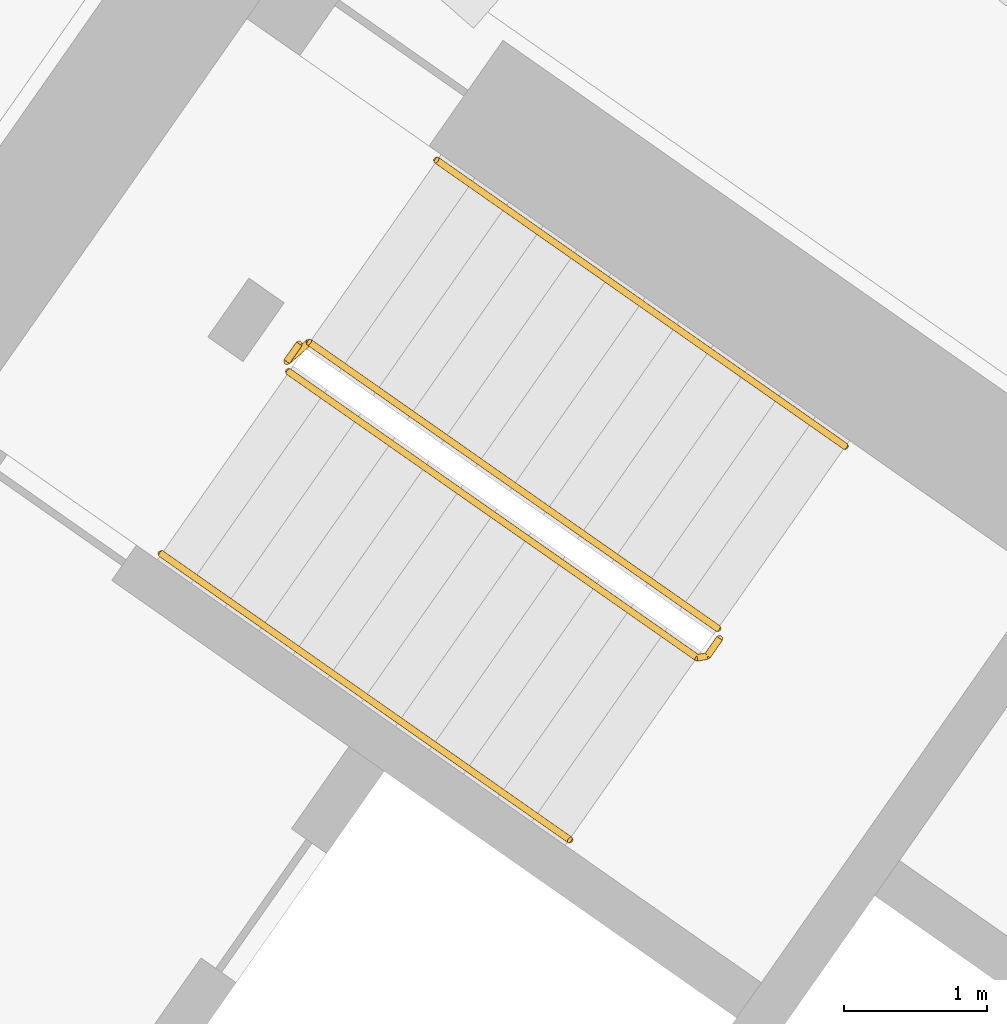
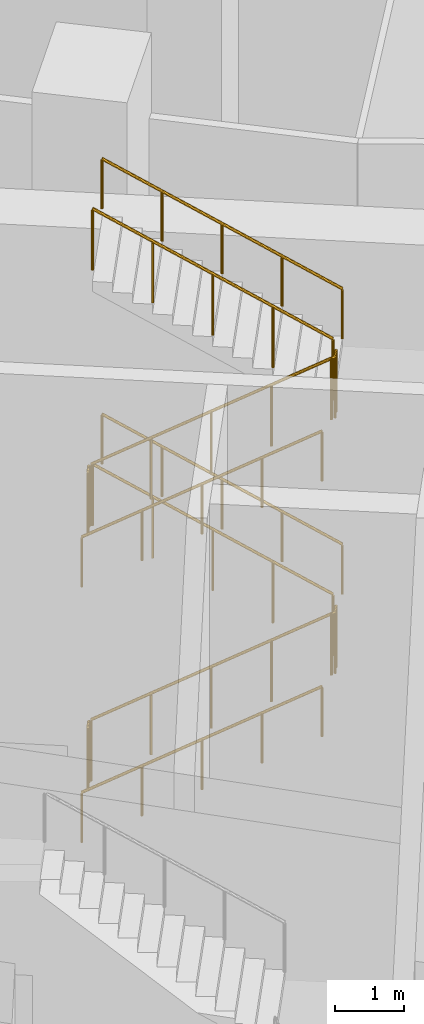
# One storey, part 15 of 17: 9 railings.
"""IFC4 building model written with IfcOpenShell, lengths in metres."""

from ifc_helpers import new_model, si_unit, direction, frame, origin, origin_2d, place, context, subcontext, project, spatial, circle, extrude, material, type_object, element, save


model = new_model("IFC4")

# Units and contexts
model_context = context("Model", 3, precision=1e-05, world=origin(), true_north=direction((0.0, 1.0)))
body_context = subcontext(model_context, "Body", "Model", "MODEL_VIEW")
ifc_project = project(units=[si_unit("LENGTHUNIT", "METRE"), si_unit("AREAUNIT", "SQUARE_METRE"), si_unit("VOLUMEUNIT", "CUBIC_METRE"), si_unit("PLANEANGLEUNIT", "RADIAN"), si_unit("MASSUNIT", "GRAM", prefix="KILO")], contexts=[model_context])

# Site, building, storey
site_placement = place(None, origin())
site = spatial("IfcSite", under=ifc_project, at=site_placement, CompositionType="ELEMENT")
building_placement = place(site_placement, origin())
building = spatial("IfcBuilding", under=site, at=building_placement, Name="Qamariyya Broadcast Tower", CompositionType="ELEMENT")
storey_placement = place(building_placement, frame((0.0, 0.0, 18.0)))
storey = spatial("IfcBuildingStorey", under=building, at=storey_placement, Name="L02", CompositionType="ELEMENT", Elevation=18.0)

# Railings
ifc_material_1 = material(Name="Painted steel", Category="steel")
railing_type_1 = type_object("IfcRailingType", Name="Stair guard", PredefinedType="GUARDRAIL", material=ifc_material_1)
railing_1_placement = place(storey_placement, frame((-41.146728515625, -48.52490234375, 0.173095703125)))
element("IfcRailing", 1, at=railing_1_placement, inside=storey, type_object=railing_type_1, Name="L02 ST-W2 stair guard 1", PredefinedType="GUARDRAIL", context=body_context, shape_type="SweptSolid", body=[
    extrude(circle(Radius=0.02392578125, at=origin_2d()), frame((0.0, 0.0, 1.076171875), z_axis=(0.703423072377, -0.49252265477, 0.512462111562), x_axis=(0.573561211868, 0.819162704376, 0.0)), (0.0, 0.0, 1.0), 4.052734375),
    extrude(circle(Radius=0.02392578125, at=origin_2d()), frame((2.850830078125, -1.99609375, 3.15283203125), z_axis=(0.984363469884, 0.176149252506, 0.0), x_axis=(-0.176149252506, 0.984363469884, 0.0)), (0.0, 0.0, 1.0), 0.07080078125),
    extrude(circle(Radius=0.02392578125, at=origin_2d()), frame((2.92041015625, -1.983642578125, 3.15283203125), z_axis=(0.573353020881, 0.819308436089, 0.0), x_axis=(-0.819308436089, 0.573353020881, 0.0)), (0.0, 0.0, 1.0), 0.14990234375),
    extrude(circle(Radius=0.02099609375, at=origin_2d()), origin(), (0.0, 0.0, 1.0), 1.052001953125),
    extrude(circle(Radius=0.02099609375, at=origin_2d()), frame((0.712646484375, -0.4990234375, 0.519287109375)), (0.0, 0.0, 1.0), 1.052001953125),
    extrude(circle(Radius=0.02099609375, at=origin_2d()), frame((1.42529296875, -0.998046875, 1.03857421875)), (0.0, 0.0, 1.0), 1.052001953125),
    extrude(circle(Radius=0.02099609375, at=origin_2d()), frame((2.13818359375, -1.4970703125, 1.5576171875)), (0.0, 0.0, 1.0), 1.052001953125),
    extrude(circle(Radius=0.02099609375, at=origin_2d()), frame((2.850830078125, -1.99609375, 2.076904296875)), (0.0, 0.0, 1.0), 1.052001953125),
    extrude(circle(Radius=0.02099609375, at=origin_2d()), frame((2.92041015625, -1.983642578125, 2.076904296875)), (0.0, 0.0, 1.0), 1.052001953125),
    extrude(circle(Radius=0.02099609375, at=origin_2d()), frame((3.00634765625, -1.86083984375, 2.076904296875)), (0.0, 0.0, 1.0), 1.052001953125),
])
railing_2_placement = place(storey_placement, frame((-38.152587890625, -50.316162109375, 2.423095703125)))
element("IfcRailing", 2, at=railing_2_placement, inside=storey, type_object=railing_type_1, Name="L02 ST-W2 stair guard 2", PredefinedType="GUARDRAIL", context=body_context, shape_type="SweptSolid", body=[
    extrude(circle(Radius=0.02392578125, at=origin_2d()), frame((0.0, 0.0, 1.076171875), z_axis=(-0.703392637411, 0.492543525477, 0.512483827206), x_axis=(-0.573594173421, -0.819139624372, 0.0)), (0.0, 0.0, 1.0), 4.052734375),
    extrude(circle(Radius=0.02392578125, at=origin_2d()), frame((-2.8505859375, 1.99609375, 3.15283203125), z_axis=(-0.755063954535, -0.655651145474, 0.0), x_axis=(0.655651145474, -0.755063954535, 0.0)), (0.0, 0.0, 1.0), 0.206298828125),
    extrude(circle(Radius=0.02392578125, at=origin_2d()), frame((-3.00634765625, 1.86083984375, 3.15283203125), z_axis=(0.572588637393, 0.819842821722, 0.0), x_axis=(-0.819842821722, 0.572588637393, 0.0)), (0.0, 0.0, 1.0), 0.150146484375),
    extrude(circle(Radius=0.02099609375, at=origin_2d()), origin(), (0.0, 0.0, 1.0), 1.052001953125),
    extrude(circle(Radius=0.02099609375, at=origin_2d()), frame((-0.712646484375, 0.4990234375, 0.519287109375)), (0.0, 0.0, 1.0), 1.052001953125),
    extrude(circle(Radius=0.02099609375, at=origin_2d()), frame((-1.42529296875, 0.998046875, 1.03857421875)), (0.0, 0.0, 1.0), 1.052001953125),
    extrude(circle(Radius=0.02099609375, at=origin_2d()), frame((-2.137939453125, 1.4970703125, 1.5576171875)), (0.0, 0.0, 1.0), 1.052001953125),
    extrude(circle(Radius=0.02099609375, at=origin_2d()), frame((-2.8505859375, 1.99609375, 2.076904296875)), (0.0, 0.0, 1.0), 1.052001953125),
    extrude(circle(Radius=0.02099609375, at=origin_2d()), frame((-3.00634765625, 1.86083984375, 2.076904296875)), (0.0, 0.0, 1.0), 1.052001953125),
    extrude(circle(Radius=0.02099609375, at=origin_2d()), frame((-2.92041015625, 1.98388671875, 2.076904296875)), (0.0, 0.0, 1.0), 1.052001953125),
])
railing_3_placement = place(storey_placement, frame((-41.146728515625, -48.52490234375, 4.673095703125)))
element("IfcRailing", 3, at=railing_3_placement, inside=storey, type_object=railing_type_1, Name="L02 ST-W2 stair guard 3", PredefinedType="GUARDRAIL", context=body_context, shape_type="SweptSolid", body=[
    extrude(circle(Radius=0.02392578125, at=origin_2d()), frame((0.0, 0.0, 1.076171875), z_axis=(0.703423072377, -0.49252265477, 0.512462111562), x_axis=(0.573561211868, 0.819162704376, 0.0)), (0.0, 0.0, 1.0), 4.052734375),
    extrude(circle(Radius=0.02392578125, at=origin_2d()), frame((2.850830078125, -1.99609375, 3.15283203125), z_axis=(0.984363469884, 0.176149252506, 0.0), x_axis=(-0.176149252506, 0.984363469884, 0.0)), (0.0, 0.0, 1.0), 0.07080078125),
    extrude(circle(Radius=0.02392578125, at=origin_2d()), frame((2.92041015625, -1.983642578125, 3.15283203125), z_axis=(0.573353020881, 0.819308436089, 0.0), x_axis=(-0.819308436089, 0.573353020881, 0.0)), (0.0, 0.0, 1.0), 0.14990234375),
    extrude(circle(Radius=0.02099609375, at=origin_2d()), origin(), (0.0, 0.0, 1.0), 1.052001953125),
    extrude(circle(Radius=0.02099609375, at=origin_2d()), frame((0.712646484375, -0.4990234375, 0.519287109375)), (0.0, 0.0, 1.0), 1.052001953125),
    extrude(circle(Radius=0.02099609375, at=origin_2d()), frame((1.42529296875, -0.998046875, 1.03857421875)), (0.0, 0.0, 1.0), 1.052001953125),
    extrude(circle(Radius=0.02099609375, at=origin_2d()), frame((2.13818359375, -1.4970703125, 1.5576171875)), (0.0, 0.0, 1.0), 1.052001953125),
    extrude(circle(Radius=0.02099609375, at=origin_2d()), frame((2.850830078125, -1.99609375, 2.076904296875)), (0.0, 0.0, 1.0), 1.052001953125),
    extrude(circle(Radius=0.02099609375, at=origin_2d()), frame((2.92041015625, -1.983642578125, 2.076904296875)), (0.0, 0.0, 1.0), 1.052001953125),
    extrude(circle(Radius=0.02099609375, at=origin_2d()), frame((3.00634765625, -1.86083984375, 2.076904296875)), (0.0, 0.0, 1.0), 1.052001953125),
])
railing_4_placement = place(storey_placement, frame((-38.152587890625, -50.316162109375, 6.923095703125)))
element("IfcRailing", 4, at=railing_4_placement, inside=storey, type_object=railing_type_1, Name="L02 ST-W2 stair guard 4", PredefinedType="GUARDRAIL", context=body_context, shape_type="SweptSolid", body=[
    extrude(circle(Radius=0.02392578125, at=origin_2d()), frame((0.0, 0.0, 1.076171875), z_axis=(-0.703392637411, 0.492543525477, 0.512483827206), x_axis=(-0.573594173421, -0.819139624372, 0.0)), (0.0, 0.0, 1.0), 4.052734375),
    extrude(circle(Radius=0.02099609375, at=origin_2d()), origin(), (0.0, 0.0, 1.0), 1.052001953125),
    extrude(circle(Radius=0.02099609375, at=origin_2d()), frame((-0.712646484375, 0.4990234375, 0.519287109375)), (0.0, 0.0, 1.0), 1.052001953125),
    extrude(circle(Radius=0.02099609375, at=origin_2d()), frame((-1.42529296875, 0.998046875, 1.03857421875)), (0.0, 0.0, 1.0), 1.052001953125),
    extrude(circle(Radius=0.02099609375, at=origin_2d()), frame((-2.137939453125, 1.4970703125, 1.5576171875)), (0.0, 0.0, 1.0), 1.052001953125),
    extrude(circle(Radius=0.02099609375, at=origin_2d()), frame((-2.8505859375, 1.99609375, 2.076904296875)), (0.0, 0.0, 1.0), 1.052001953125),
])
railing_5_placement = place(storey_placement, frame((-41.158935546875, -48.455322265625, 0.0)))
element("IfcRailing", 5, at=railing_5_placement, inside=storey, type_object=railing_type_1, Name="L02 ST-W2 stair guard 5", PredefinedType="GUARDRAIL", context=body_context, shape_type="SweptSolid", body=[
    extrude(circle(Radius=0.02392578125, at=origin_2d()), frame((0.0, 0.0, 1.076171875), z_axis=(0.572588637393, 0.819842821722, 0.0), x_axis=(-0.819842821722, 0.572588637393, 0.0)), (0.0, 0.0, 1.0), 0.150146484375),
    extrude(circle(Radius=0.02099609375, at=origin_2d()), origin(), (0.0, 0.0, 1.0), 1.052001953125),
    extrude(circle(Radius=0.02099609375, at=origin_2d()), frame((0.0859375, 0.123046875, 0.0)), (0.0, 0.0, 1.0), 1.052001953125),
])
ifc_material_2 = material(Name="Stainless steel", Category="steel")
railing_type_2 = type_object("IfcRailingType", Name="Stair handrail", PredefinedType="HANDRAIL", material=ifc_material_2)
railing_6_placement = place(storey_placement, frame((-42.03564453125, -49.79443359375, 0.173095703125)))
element("IfcRailing", 6, at=railing_6_placement, inside=storey, type_object=railing_type_2, Name="L02 ST-W2 stair handrail 1", PredefinedType="HANDRAIL", context=body_context, shape_type="SweptSolid", body=[
    extrude(circle(Radius=0.02392578125, at=origin_2d()), frame((0.0, 0.0, 0.8759765625), z_axis=(0.703392637411, -0.492543525477, 0.512483827206), x_axis=(0.573594173421, 0.819139624372, 0.0)), (0.0, 0.0, 1.0), 4.052734375),
    extrude(circle(Radius=0.02099609375, at=origin_2d()), origin(), (0.0, 0.0, 1.0), 0.851806640625),
    extrude(circle(Radius=0.02099609375, at=origin_2d()), frame((0.712646484375, -0.4990234375, 0.519287109375)), (0.0, 0.0, 1.0), 0.851806640625),
    extrude(circle(Radius=0.02099609375, at=origin_2d()), frame((1.42529296875, -0.998046875, 1.03857421875)), (0.0, 0.0, 1.0), 0.851806640625),
    extrude(circle(Radius=0.02099609375, at=origin_2d()), frame((2.137939453125, -1.4970703125, 1.5576171875)), (0.0, 0.0, 1.0), 0.851806640625),
    extrude(circle(Radius=0.02099609375, at=origin_2d()), frame((2.8505859375, -1.99609375, 2.076904296875)), (0.0, 0.0, 1.0), 0.851806640625),
])
railing_7_placement = place(storey_placement, frame((-37.263671875, -49.04638671875, 2.423095703125)))
element("IfcRailing", 7, at=railing_7_placement, inside=storey, type_object=railing_type_2, Name="L02 ST-W2 stair handrail 2", PredefinedType="HANDRAIL", context=body_context, shape_type="SweptSolid", body=[
    extrude(circle(Radius=0.02392578125, at=origin_2d()), frame((0.0, 0.0, 0.8759765625), z_axis=(-0.703392637411, 0.492543525477, 0.512483827206), x_axis=(-0.573594173421, -0.819139624372, 0.0)), (0.0, 0.0, 1.0), 4.052734375),
    extrude(circle(Radius=0.02099609375, at=origin_2d()), origin(), (0.0, 0.0, 1.0), 0.851806640625),
    extrude(circle(Radius=0.02099609375, at=origin_2d()), frame((-0.712646484375, 0.4990234375, 0.519287109375)), (0.0, 0.0, 1.0), 0.851806640625),
    extrude(circle(Radius=0.02099609375, at=origin_2d()), frame((-1.42529296875, 0.998046875, 1.03857421875)), (0.0, 0.0, 1.0), 0.851806640625),
    extrude(circle(Radius=0.02099609375, at=origin_2d()), frame((-2.137939453125, 1.4970703125, 1.5576171875)), (0.0, 0.0, 1.0), 0.851806640625),
    extrude(circle(Radius=0.02099609375, at=origin_2d()), frame((-2.8505859375, 1.99609375, 2.076904296875)), (0.0, 0.0, 1.0), 0.851806640625),
])
railing_8_placement = place(storey_placement, frame((-42.03564453125, -49.79443359375, 4.673095703125)))
element("IfcRailing", 8, at=railing_8_placement, inside=storey, type_object=railing_type_2, Name="L02 ST-W2 stair handrail 3", PredefinedType="HANDRAIL", context=body_context, shape_type="SweptSolid", body=[
    extrude(circle(Radius=0.02392578125, at=origin_2d()), frame((0.0, 0.0, 0.8759765625), z_axis=(0.703392637411, -0.492543525477, 0.512483827206), x_axis=(0.573594173421, 0.819139624372, 0.0)), (0.0, 0.0, 1.0), 4.052734375),
    extrude(circle(Radius=0.02099609375, at=origin_2d()), origin(), (0.0, 0.0, 1.0), 0.851806640625),
    extrude(circle(Radius=0.02099609375, at=origin_2d()), frame((0.712646484375, -0.4990234375, 0.519287109375)), (0.0, 0.0, 1.0), 0.851806640625),
    extrude(circle(Radius=0.02099609375, at=origin_2d()), frame((1.42529296875, -0.998046875, 1.03857421875)), (0.0, 0.0, 1.0), 0.851806640625),
    extrude(circle(Radius=0.02099609375, at=origin_2d()), frame((2.137939453125, -1.4970703125, 1.5576171875)), (0.0, 0.0, 1.0), 0.851806640625),
    extrude(circle(Radius=0.02099609375, at=origin_2d()), frame((2.8505859375, -1.99609375, 2.076904296875)), (0.0, 0.0, 1.0), 0.851806640625),
])
railing_9_placement = place(storey_placement, frame((-37.263671875, -49.04638671875, 6.923095703125)))
element("IfcRailing", 9, at=railing_9_placement, inside=storey, type_object=railing_type_2, Name="L02 ST-W2 stair handrail 4", PredefinedType="HANDRAIL", context=body_context, shape_type="SweptSolid", body=[
    extrude(circle(Radius=0.02392578125, at=origin_2d()), frame((0.0, 0.0, 0.8759765625), z_axis=(-0.703392637411, 0.492543525477, 0.512483827206), x_axis=(-0.573594173421, -0.819139624372, 0.0)), (0.0, 0.0, 1.0), 4.052734375),
    extrude(circle(Radius=0.02099609375, at=origin_2d()), origin(), (0.0, 0.0, 1.0), 0.851806640625),
    extrude(circle(Radius=0.02099609375, at=origin_2d()), frame((-0.712646484375, 0.4990234375, 0.519287109375)), (0.0, 0.0, 1.0), 0.851806640625),
    extrude(circle(Radius=0.02099609375, at=origin_2d()), frame((-1.42529296875, 0.998046875, 1.03857421875)), (0.0, 0.0, 1.0), 0.851806640625),
    extrude(circle(Radius=0.02099609375, at=origin_2d()), frame((-2.137939453125, 1.4970703125, 1.5576171875)), (0.0, 0.0, 1.0), 0.851806640625),
    extrude(circle(Radius=0.02099609375, at=origin_2d()), frame((-2.8505859375, 1.99609375, 2.076904296875)), (0.0, 0.0, 1.0), 0.851806640625),
])

save(model, "model.ifc")
